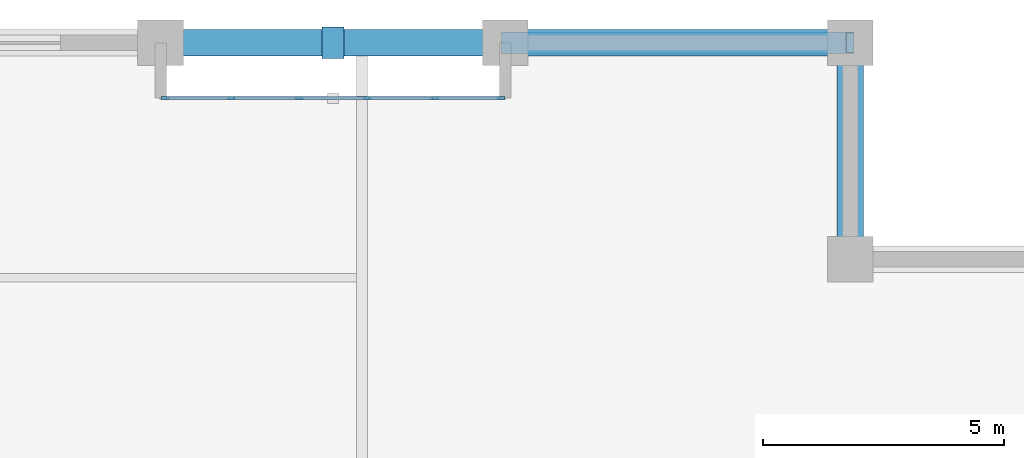
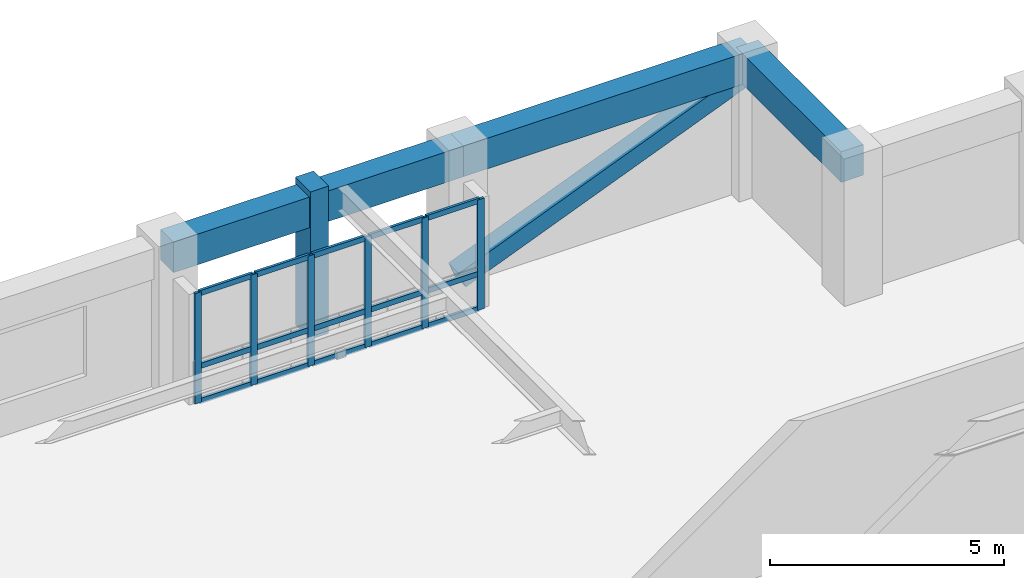
# One storey, part 2 of 11: 23 members, 3 beams, 1 element without a shape of its own.
"""IFC4 building model written with IfcOpenShell, lengths in metres."""

from ifc_helpers import new_model, si_unit, direction, frame, origin, origin_2d, place, context, subcontext, project, spatial, rectangle, hollow_rectangle, extrude, material, layer, layer_set, material_profile, profile_set, type_object, element, aggregate, save


model = new_model("IFC4")

# Units and contexts
model_context = context("Model", 3, precision=1e-05, world=origin(), true_north=direction((0.0, 1.0)))
body_context = subcontext(model_context, "Body", "Model", "MODEL_VIEW")
ifc_project = project(units=[si_unit("LENGTHUNIT", "METRE"), si_unit("AREAUNIT", "SQUARE_METRE"), si_unit("VOLUMEUNIT", "CUBIC_METRE"), si_unit("PLANEANGLEUNIT", "RADIAN"), si_unit("MASSUNIT", "GRAM", prefix="KILO")], contexts=[model_context])

# Site, building, storey
site_placement = place(None, origin())
site = spatial("IfcSite", under=ifc_project, at=site_placement, CompositionType="ELEMENT")
building_placement = place(site_placement, origin())
building = spatial("IfcBuilding", under=site, at=building_placement, Name="Nhamokura Convention Tower", CompositionType="ELEMENT")
storey_placement = place(building_placement, frame((0.0, 0.0, 141.39990234375)))
storey = spatial("IfcBuildingStorey", under=building, at=storey_placement, Name="L34", CompositionType="ELEMENT", Elevation=141.39990234375)

# Member
ifc_material_1 = material(Name="Bronze-pigmented precast concrete C45/55", Category="concrete")
ifc_material_profile_1 = material_profile(ifc_material_1, rectangle(XDim=0.449951171875, YDim=0.64990234375, at=origin_2d()))
ifc_profile_set_1 = profile_set([ifc_material_profile_1], Name="Bronze-pigmented precast concrete C45/55")
member_type_1 = type_object("IfcMemberType", Name="BronzePilaster_650", PredefinedType="USERDEFINED", material=ifc_profile_set_1)
member_1_placement = place(storey_placement, frame((42.75, 58.0, 0.0), z_axis=(0.0, 0.0, 1.0), x_axis=(1.0, 0.0, 0.0)))
element("IfcMember", 1, at=member_1_placement, inside=storey, type_object=member_type_1, Name="L34 Engaged Frame Pilaster NORTH 4", ObjectType="PILASTER_TRIM", PredefinedType="USERDEFINED", context=body_context, shape_type="SweptSolid", body=[
    extrude(rectangle(XDim=0.449951171875, YDim=0.64990234375, at=origin_2d()), origin(), (0.0, 0.0, 1.0), 3.85009765625),
])

# Curtain wall, members
ifc_material_2 = material(Name="Anodised bronze aluminium AA6063-T6", Category="aluminium")
ifc_layer = layer(ifc_material_2, 0.159912109375)
ifc_layer_set = layer_set([ifc_layer], Name="CWSystem_ScaleSlot_Zone2")
curtain_wall_type = type_object("IfcCurtainWallType", Name="CWSystem_ScaleSlot_Zone2", PredefinedType="NOTDEFINED", material=ifc_layer_set)
curtain_wall_placement = place(storey_placement, origin())
curtain_wall = element("IfcCurtainWall", 2, at=curtain_wall_placement, inside=storey, type_object=curtain_wall_type, Name="L34 Curtain Wall ENV-L34-SLOT-N4", PredefinedType="NOTDEFINED")
ifc_material_3 = material(Name="Anodised bronze aluminium AA6063-T6", Category="aluminium")
ifc_material_profile_2 = material_profile(ifc_material_3, rectangle(XDim=0.06494140625, YDim=0.1650390625, at=origin_2d()))
ifc_profile_set_2 = profile_set([ifc_material_profile_2], Name="Anodised bronze aluminium AA6063-T6")
member_type_2 = type_object("IfcMemberType", Name="CWMullion_3", PredefinedType="MULLION", material=ifc_profile_set_2)
member_2_placement = place(storey_placement, frame((39.25927734375, 56.85009765625, 0.0), z_axis=(0.0, 0.0, 1.0), x_axis=(0.0, 1.0, 0.0)))
member_2 = element("IfcMember", 3, at=member_2_placement, type_object=member_type_2, Name="CW-04 mullion 1", PredefinedType="MULLION", context=body_context, shape_type="SweptSolid", body=[
    extrude(rectangle(XDim=0.06494140625, YDim=0.1650390625, at=origin_2d()), origin(), (0.0, 0.0, 1.0), 2.885009765625),
])
member_3_placement = place(storey_placement, frame((40.635986328125, 56.85009765625, 0.0), z_axis=(0.0, 0.0, 1.0), x_axis=(0.0, 1.0, 0.0)))
member_3 = element("IfcMember", 4, at=member_3_placement, type_object=member_type_2, Name="CW-04 mullion 2", PredefinedType="MULLION", context=body_context, shape_type="SweptSolid", body=[
    extrude(rectangle(XDim=0.06494140625, YDim=0.1650390625, at=origin_2d()), origin(), (0.0, 0.0, 1.0), 2.885009765625),
])
member_4_placement = place(storey_placement, frame((42.04541015625, 56.85009765625, 0.0), z_axis=(0.0, 0.0, 1.0), x_axis=(0.0, 1.0, 0.0)))
member_4 = element("IfcMember", 5, at=member_4_placement, type_object=member_type_2, Name="CW-04 mullion 3", PredefinedType="MULLION", context=body_context, shape_type="SweptSolid", body=[
    extrude(rectangle(XDim=0.06494140625, YDim=0.1650390625, at=origin_2d()), origin(), (0.0, 0.0, 1.0), 2.885009765625),
])
member_5_placement = place(storey_placement, frame((43.45458984375, 56.85009765625, 0.0), z_axis=(0.0, 0.0, 1.0), x_axis=(0.0, 1.0, 0.0)))
member_5 = element("IfcMember", 6, at=member_5_placement, type_object=member_type_2, Name="CW-04 mullion 4", PredefinedType="MULLION", context=body_context, shape_type="SweptSolid", body=[
    extrude(rectangle(XDim=0.06494140625, YDim=0.1650390625, at=origin_2d()), origin(), (0.0, 0.0, 1.0), 2.885009765625),
])
member_6_placement = place(storey_placement, frame((44.864013671875, 56.85009765625, 0.0), z_axis=(0.0, 0.0, 1.0), x_axis=(0.0, 1.0, 0.0)))
member_6 = element("IfcMember", 7, at=member_6_placement, type_object=member_type_2, Name="CW-04 mullion 5", PredefinedType="MULLION", context=body_context, shape_type="SweptSolid", body=[
    extrude(rectangle(XDim=0.06494140625, YDim=0.1650390625, at=origin_2d()), origin(), (0.0, 0.0, 1.0), 2.885009765625),
])
member_7_placement = place(storey_placement, frame((46.24072265625, 56.85009765625, 0.0), z_axis=(0.0, 0.0, 1.0), x_axis=(0.0, 1.0, 0.0)))
member_7 = element("IfcMember", 8, at=member_7_placement, type_object=member_type_2, Name="CW-04 mullion 6", PredefinedType="MULLION", context=body_context, shape_type="SweptSolid", body=[
    extrude(rectangle(XDim=0.06494140625, YDim=0.1650390625, at=origin_2d()), origin(), (0.0, 0.0, 1.0), 2.885009765625),
])
ifc_material_4 = material(Name="Anodised bronze aluminium AA6063-T6", Category="aluminium")
ifc_material_profile_3 = material_profile(ifc_material_4, rectangle(XDim=0.06494140625, YDim=0.139892578125, at=origin_2d()))
ifc_profile_set_3 = profile_set([ifc_material_profile_3], Name="Anodised bronze aluminium AA6063-T6")
member_type_3 = type_object("IfcMemberType", Name="CWTransom_3", PredefinedType="USERDEFINED", material=ifc_profile_set_3)
member_8_placement = place(storey_placement, frame((39.291748046875, 56.85009765625, 0.03271484375), z_axis=(1.0, 0.0, 0.0), x_axis=(0.0, 1.0, 0.0)))
member_8 = element("IfcMember", 9, at=member_8_placement, type_object=member_type_3, Name="CW-04 transom 1.1", ObjectType="TRANSOM", PredefinedType="USERDEFINED", context=body_context, shape_type="SweptSolid", body=[
    extrude(rectangle(XDim=0.06494140625, YDim=0.139892578125, at=origin_2d()), origin(), (0.0, 0.0, 1.0), 1.311767578125),
])
member_9_placement = place(storey_placement, frame((39.291748046875, 56.85009765625, 0.9501953125), z_axis=(1.0, 0.0, 0.0), x_axis=(0.0, 1.0, 0.0)))
member_9 = element("IfcMember", 10, at=member_9_placement, type_object=member_type_3, Name="CW-04 transom 1.2", ObjectType="TRANSOM", PredefinedType="USERDEFINED", context=body_context, shape_type="SweptSolid", body=[
    extrude(rectangle(XDim=0.06494140625, YDim=0.139892578125, at=origin_2d()), origin(), (0.0, 0.0, 1.0), 1.311767578125),
])
member_10_placement = place(storey_placement, frame((39.291748046875, 56.85009765625, 2.8525390625), z_axis=(1.0, 0.0, 0.0), x_axis=(0.0, 1.0, 0.0)))
member_10 = element("IfcMember", 11, at=member_10_placement, type_object=member_type_3, Name="CW-04 transom 1.3", ObjectType="TRANSOM", PredefinedType="USERDEFINED", context=body_context, shape_type="SweptSolid", body=[
    extrude(rectangle(XDim=0.06494140625, YDim=0.139892578125, at=origin_2d()), origin(), (0.0, 0.0, 1.0), 1.311767578125),
])
member_11_placement = place(storey_placement, frame((40.66845703125, 56.85009765625, 0.03271484375), z_axis=(1.0, 0.0, 0.0), x_axis=(0.0, 1.0, 0.0)))
member_11 = element("IfcMember", 12, at=member_11_placement, type_object=member_type_3, Name="CW-04 transom 2.1", ObjectType="TRANSOM", PredefinedType="USERDEFINED", context=body_context, shape_type="SweptSolid", body=[
    extrude(rectangle(XDim=0.06494140625, YDim=0.139892578125, at=origin_2d()), origin(), (0.0, 0.0, 1.0), 1.344482421875),
])
member_12_placement = place(storey_placement, frame((40.66845703125, 56.85009765625, 0.9501953125), z_axis=(1.0, 0.0, 0.0), x_axis=(0.0, 1.0, 0.0)))
member_12 = element("IfcMember", 13, at=member_12_placement, type_object=member_type_3, Name="CW-04 transom 2.2", ObjectType="TRANSOM", PredefinedType="USERDEFINED", context=body_context, shape_type="SweptSolid", body=[
    extrude(rectangle(XDim=0.06494140625, YDim=0.139892578125, at=origin_2d()), origin(), (0.0, 0.0, 1.0), 1.344482421875),
])
member_13_placement = place(storey_placement, frame((40.66845703125, 56.85009765625, 2.8525390625), z_axis=(1.0, 0.0, 0.0), x_axis=(0.0, 1.0, 0.0)))
member_13 = element("IfcMember", 14, at=member_13_placement, type_object=member_type_3, Name="CW-04 transom 2.3", ObjectType="TRANSOM", PredefinedType="USERDEFINED", context=body_context, shape_type="SweptSolid", body=[
    extrude(rectangle(XDim=0.06494140625, YDim=0.139892578125, at=origin_2d()), origin(), (0.0, 0.0, 1.0), 1.344482421875),
])
member_14_placement = place(storey_placement, frame((42.077880859375, 56.85009765625, 0.03271484375), z_axis=(1.0, 0.0, 0.0), x_axis=(0.0, 1.0, 0.0)))
member_14 = element("IfcMember", 15, at=member_14_placement, type_object=member_type_3, Name="CW-04 transom 3.1", ObjectType="TRANSOM", PredefinedType="USERDEFINED", context=body_context, shape_type="SweptSolid", body=[
    extrude(rectangle(XDim=0.06494140625, YDim=0.139892578125, at=origin_2d()), origin(), (0.0, 0.0, 1.0), 1.34423828125),
])
member_15_placement = place(storey_placement, frame((42.077880859375, 56.85009765625, 0.9501953125), z_axis=(1.0, 0.0, 0.0), x_axis=(0.0, 1.0, 0.0)))
member_15 = element("IfcMember", 16, at=member_15_placement, type_object=member_type_3, Name="CW-04 transom 3.2", ObjectType="TRANSOM", PredefinedType="USERDEFINED", context=body_context, shape_type="SweptSolid", body=[
    extrude(rectangle(XDim=0.06494140625, YDim=0.139892578125, at=origin_2d()), origin(), (0.0, 0.0, 1.0), 1.34423828125),
])
member_16_placement = place(storey_placement, frame((42.077880859375, 56.85009765625, 2.8525390625), z_axis=(1.0, 0.0, 0.0), x_axis=(0.0, 1.0, 0.0)))
member_16 = element("IfcMember", 17, at=member_16_placement, type_object=member_type_3, Name="CW-04 transom 3.3", ObjectType="TRANSOM", PredefinedType="USERDEFINED", context=body_context, shape_type="SweptSolid", body=[
    extrude(rectangle(XDim=0.06494140625, YDim=0.139892578125, at=origin_2d()), origin(), (0.0, 0.0, 1.0), 1.34423828125),
])
member_17_placement = place(storey_placement, frame((43.487060546875, 56.85009765625, 0.03271484375), z_axis=(1.0, 0.0, 0.0), x_axis=(0.0, 1.0, 0.0)))
member_17 = element("IfcMember", 18, at=member_17_placement, type_object=member_type_3, Name="CW-04 transom 4.1", ObjectType="TRANSOM", PredefinedType="USERDEFINED", context=body_context, shape_type="SweptSolid", body=[
    extrude(rectangle(XDim=0.06494140625, YDim=0.139892578125, at=origin_2d()), origin(), (0.0, 0.0, 1.0), 1.344482421875),
])
member_18_placement = place(storey_placement, frame((43.487060546875, 56.85009765625, 0.9501953125), z_axis=(1.0, 0.0, 0.0), x_axis=(0.0, 1.0, 0.0)))
member_18 = element("IfcMember", 19, at=member_18_placement, type_object=member_type_3, Name="CW-04 transom 4.2", ObjectType="TRANSOM", PredefinedType="USERDEFINED", context=body_context, shape_type="SweptSolid", body=[
    extrude(rectangle(XDim=0.06494140625, YDim=0.139892578125, at=origin_2d()), origin(), (0.0, 0.0, 1.0), 1.344482421875),
])
member_19_placement = place(storey_placement, frame((43.487060546875, 56.85009765625, 2.8525390625), z_axis=(1.0, 0.0, 0.0), x_axis=(0.0, 1.0, 0.0)))
member_19 = element("IfcMember", 20, at=member_19_placement, type_object=member_type_3, Name="CW-04 transom 4.3", ObjectType="TRANSOM", PredefinedType="USERDEFINED", context=body_context, shape_type="SweptSolid", body=[
    extrude(rectangle(XDim=0.06494140625, YDim=0.139892578125, at=origin_2d()), origin(), (0.0, 0.0, 1.0), 1.344482421875),
])
member_20_placement = place(storey_placement, frame((44.896484375, 56.85009765625, 0.03271484375), z_axis=(1.0, 0.0, 0.0), x_axis=(0.0, 1.0, 0.0)))
member_20 = element("IfcMember", 21, at=member_20_placement, type_object=member_type_3, Name="CW-04 transom 5.1", ObjectType="TRANSOM", PredefinedType="USERDEFINED", context=body_context, shape_type="SweptSolid", body=[
    extrude(rectangle(XDim=0.06494140625, YDim=0.139892578125, at=origin_2d()), origin(), (0.0, 0.0, 1.0), 1.311767578125),
])
member_21_placement = place(storey_placement, frame((44.896484375, 56.85009765625, 0.9501953125), z_axis=(1.0, 0.0, 0.0), x_axis=(0.0, 1.0, 0.0)))
member_21 = element("IfcMember", 22, at=member_21_placement, type_object=member_type_3, Name="CW-04 transom 5.2", ObjectType="TRANSOM", PredefinedType="USERDEFINED", context=body_context, shape_type="SweptSolid", body=[
    extrude(rectangle(XDim=0.06494140625, YDim=0.139892578125, at=origin_2d()), origin(), (0.0, 0.0, 1.0), 1.311767578125),
])
member_22_placement = place(storey_placement, frame((44.896484375, 56.85009765625, 2.8525390625), z_axis=(1.0, 0.0, 0.0), x_axis=(0.0, 1.0, 0.0)))
member_22 = element("IfcMember", 23, at=member_22_placement, type_object=member_type_3, Name="CW-04 transom 5.3", ObjectType="TRANSOM", PredefinedType="USERDEFINED", context=body_context, shape_type="SweptSolid", body=[
    extrude(rectangle(XDim=0.06494140625, YDim=0.139892578125, at=origin_2d()), origin(), (0.0, 0.0, 1.0), 1.311767578125),
])
aggregate(curtain_wall, [member_2, member_3, member_4, member_5, member_6, member_7, member_8, member_9, member_10, member_11, member_12, member_13, member_14, member_15, member_16, member_17, member_18, member_19, member_20, member_21, member_22])

# Member
ifc_material_5 = material(Name="Steel ASTM A572 Gr 50", Category="steel")
ifc_material_profile_4 = material_profile(ifc_material_5, hollow_rectangle(XDim=0.449951171875, YDim=0.449951171875, WallThickness=0.02197265625, at=origin_2d()))
ifc_profile_set_4 = profile_set([ifc_material_profile_4], Name="Steel ASTM A572 Gr 50")
member_type_4 = type_object("IfcMemberType", Name="TubeBrace_HSS450", PredefinedType="BRACE", material=ifc_profile_set_4)
member_23_placement = place(storey_placement, frame((46.333251953125, 58.0, 0.150146484375), z_axis=(0.927657166893, 0.0, 0.373432966826), x_axis=(0.0, 1.0, 0.0)))
element("IfcMember", 24, at=member_23_placement, inside=storey, type_object=member_type_4, Name="L34 Perimeter Tube Brace NORTH Bay 5", PredefinedType="BRACE", context=body_context, shape_type="SweptSolid", body=[
    extrude(hollow_rectangle(XDim=0.449951171875, YDim=0.449951171875, WallThickness=0.02197265625, at=origin_2d()), origin(), (0.0, 0.0, 1.0), 7.7255859375),
])

# Beams
ifc_material_6 = material(Name="Concrete C50/60", Category="concrete")
ifc_material_profile_5 = material_profile(ifc_material_6, rectangle(XDim=0.550048828125, YDim=0.800048828125, at=origin_2d()))
ifc_profile_set_5 = profile_set([ifc_material_profile_5], Name="Concrete C50/60")
beam_type = type_object("IfcBeamType", Name="TubeSpandrel_800", PredefinedType="SPANDREL", material=ifc_profile_set_5)
beam_1_placement = place(storey_placement, frame((39.166748046875, 58.0, 3.28515625), z_axis=(1.0, 0.0, 0.0), x_axis=(0.0, 1.0, 0.0)))
element("IfcBeam", 25, at=beam_1_placement, inside=storey, type_object=beam_type, Name="L34 Perimeter Spandrel NORTH 5", PredefinedType="SPANDREL", context=body_context, shape_type="SweptSolid", body=[
    extrude(rectangle(XDim=0.550048828125, YDim=0.800048828125, at=origin_2d()), origin(), (0.0, 0.0, 1.0), 7.16650390625),
])
beam_2_placement = place(storey_placement, frame((46.333251953125, 58.0, 3.28515625), z_axis=(1.0, 0.0, 0.0), x_axis=(0.0, 1.0, 0.0)))
element("IfcBeam", 26, at=beam_2_placement, inside=storey, type_object=beam_type, Name="L34 Perimeter Spandrel NORTH 6", PredefinedType="SPANDREL", context=body_context, shape_type="SweptSolid", body=[
    extrude(rectangle(XDim=0.550048828125, YDim=0.800048828125, at=origin_2d()), origin(), (0.0, 0.0, 1.0), 7.166748046875),
])
beam_3_placement = place(storey_placement, frame((53.5, 53.5, 3.28515625), z_axis=(0.0, 1.0, 0.0), x_axis=(-1.0, 0.0, 0.0)))
element("IfcBeam", 27, at=beam_3_placement, inside=storey, type_object=beam_type, Name="L34 Notch Spandrel NE2", PredefinedType="SPANDREL", context=body_context, shape_type="SweptSolid", body=[
    extrude(rectangle(XDim=0.550048828125, YDim=0.800048828125, at=origin_2d()), origin(), (0.0, 0.0, 1.0), 4.5),
])

save(model, "model.ifc")
